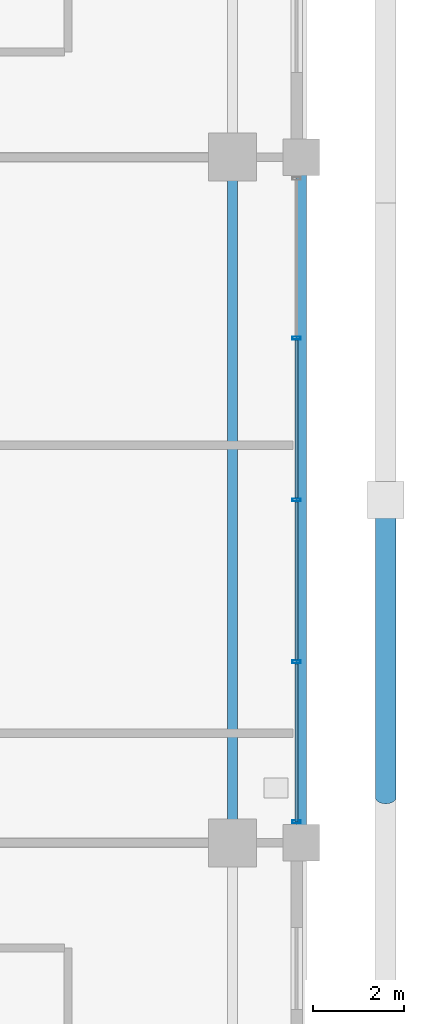
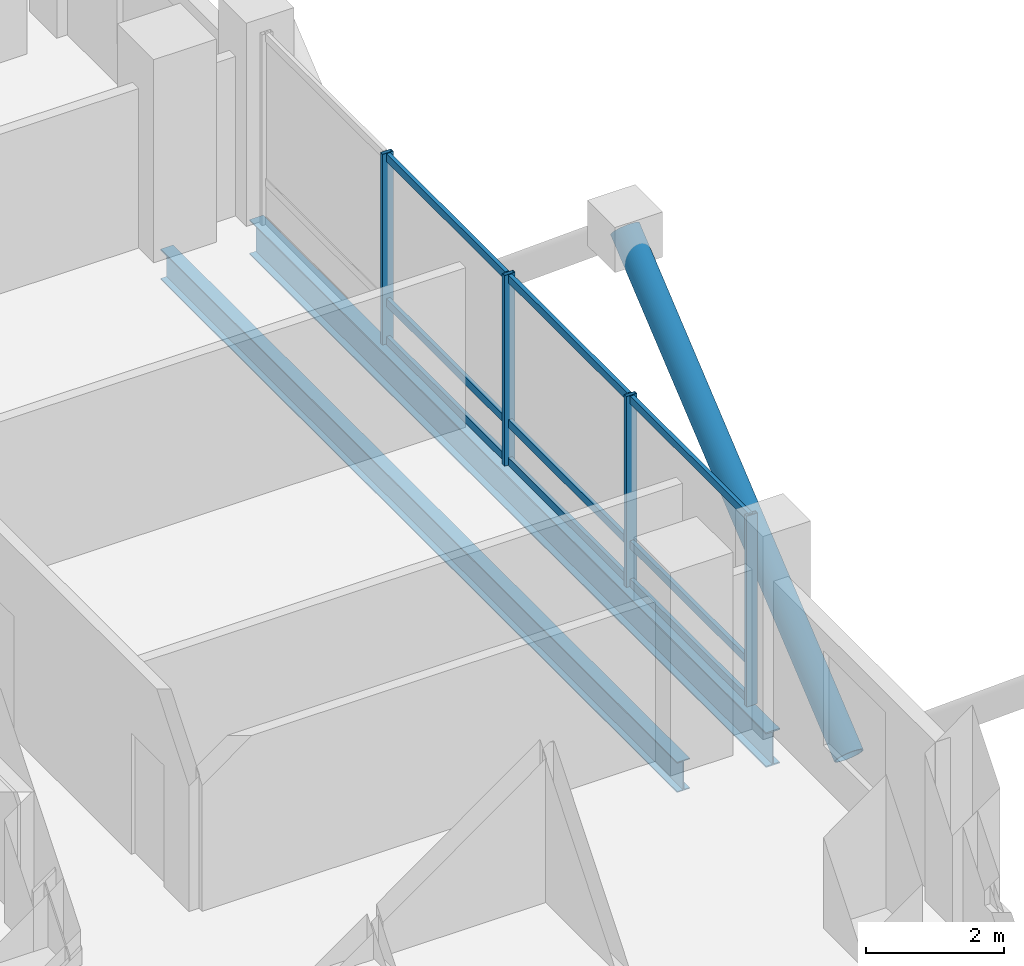
# One storey, part 10 of 24: 14 members, 2 beams, 1 element without a shape of its own.
"""IFC4 building model written with IfcOpenShell, lengths in metres."""

from ifc_helpers import new_model, si_unit, direction, frame, origin, origin_2d, place, context, subcontext, project, spatial, hollow_rectangle, hollow_circle, i_section, extrude, material, layer, layer_set, material_profile, profile_set, type_object, element, aggregate, save


model = new_model("IFC4")

# Units and contexts
model_context = context("Model", 3, precision=1e-05, world=origin(), true_north=direction((0.0, 1.0)))
body_context = subcontext(model_context, "Body", "Model", "MODEL_VIEW")
ifc_project = project(units=[si_unit("LENGTHUNIT", "METRE"), si_unit("AREAUNIT", "SQUARE_METRE"), si_unit("VOLUMEUNIT", "CUBIC_METRE"), si_unit("PLANEANGLEUNIT", "RADIAN"), si_unit("MASSUNIT", "GRAM", prefix="KILO")], contexts=[model_context])

# Site, building, storey
site_placement = place(None, origin())
site = spatial("IfcSite", under=ifc_project, at=site_placement, CompositionType="ELEMENT")
building_placement = place(site_placement, origin())
building = spatial("IfcBuilding", under=site, at=building_placement, Name="Barlavira Tower and Art Museum", CompositionType="ELEMENT")
storey_placement = place(building_placement, frame((0.0, 0.0, 194.39990234375)))
storey = spatial("IfcBuildingStorey", under=building, at=storey_placement, Name="L50", CompositionType="ELEMENT", Elevation=194.39990234375)

# Curtain wall, members
ifc_material_1 = material(Name="Low-iron coastal laminated glass", Category="glass")
ifc_layer = layer(ifc_material_1, 0.199951171875, Name="Low-iron coastal laminated glass")
ifc_layer_set = layer_set([ifc_layer], Name="Low-iron coastal laminated glass")
curtain_wall_type = type_object("IfcCurtainWallType", Name="Pale-Metal Unitised Curtain Wall Zone 3", PredefinedType="NOTDEFINED", material=ifc_layer_set)
curtain_wall_placement = place(storey_placement, origin())
curtain_wall = element("IfcCurtainWall", 1, at=curtain_wall_placement, inside=storey, type_object=curtain_wall_type, Name="L50 Curtain Wall CW3-L50-E-B3", PredefinedType="NOTDEFINED")
ifc_material_2 = material(Name="Pale anodised aluminium", Category="aluminium")
ifc_material_profile_1 = material_profile(ifc_material_2, hollow_rectangle(XDim=0.06494140625, YDim=0.179931640625, WallThickness=0.00390625, at=origin_2d()), Name="ALU-MULL 65x180x4")
ifc_profile_set_1 = profile_set([ifc_material_profile_1], Name="Pale anodised aluminium")
member_type_1 = type_object("IfcMemberType", Name="Curtain Wall Pale-Metal Mullion 65x180", PredefinedType="MULLION", material=ifc_profile_set_1)
member_1_placement = place(storey_placement, frame((18.39990234375, -7.034912109375, 0.0), z_axis=(0.0, 0.0, 1.0), x_axis=(0.0, 1.0, 0.0)))
member_1 = element("IfcMember", 2, at=member_1_placement, type_object=member_type_1, Name="CW3-L50-E-B3 Mullion 0", PredefinedType="MULLION", context=body_context, shape_type="SweptSolid", body=[
    extrude(hollow_rectangle(XDim=0.06494140625, YDim=0.179931640625, WallThickness=0.00390625, at=origin_2d()), origin(), (0.0, 0.0, 1.0), 3.380126953125),
])
member_2_placement = place(storey_placement, frame((18.39990234375, -3.5400390625, 0.0), z_axis=(0.0, 0.0, 1.0), x_axis=(0.0, 1.0, 0.0)))
member_2 = element("IfcMember", 3, at=member_2_placement, type_object=member_type_1, Name="CW3-L50-E-B3 Mullion 1", PredefinedType="MULLION", context=body_context, shape_type="SweptSolid", body=[
    extrude(hollow_rectangle(XDim=0.06494140625, YDim=0.179931640625, WallThickness=0.00390625, at=origin_2d()), origin(), (0.0, 0.0, 1.0), 3.380126953125),
])
member_3_placement = place(storey_placement, frame((18.39990234375, 0.0, 0.0), z_axis=(0.0, 0.0, 1.0), x_axis=(0.0, 1.0, 0.0)))
member_3 = element("IfcMember", 4, at=member_3_placement, type_object=member_type_1, Name="CW3-L50-E-B3 Mullion 2", PredefinedType="MULLION", context=body_context, shape_type="SweptSolid", body=[
    extrude(hollow_rectangle(XDim=0.06494140625, YDim=0.179931640625, WallThickness=0.00390625, at=origin_2d()), origin(), (0.0, 0.0, 1.0), 3.380126953125),
])
member_4_placement = place(storey_placement, frame((18.39990234375, 3.5400390625, 0.0), z_axis=(0.0, 0.0, 1.0), x_axis=(0.0, 1.0, 0.0)))
member_4 = element("IfcMember", 5, at=member_4_placement, type_object=member_type_1, Name="CW3-L50-E-B3 Mullion 3", PredefinedType="MULLION", context=body_context, shape_type="SweptSolid", body=[
    extrude(hollow_rectangle(XDim=0.06494140625, YDim=0.179931640625, WallThickness=0.00390625, at=origin_2d()), origin(), (0.0, 0.0, 1.0), 3.380126953125),
])
ifc_material_profile_2 = material_profile(ifc_material_2, hollow_rectangle(XDim=0.06494140625, YDim=0.139892578125, WallThickness=0.00390625, at=origin_2d()), Name="ALU-TRAN 65x140x4")
ifc_profile_set_2 = profile_set([ifc_material_profile_2], Name="Pale anodised aluminium")
member_type_2 = type_object("IfcMemberType", Name="Curtain Wall Pale-Metal Transom 65x140", PredefinedType="USERDEFINED", material=ifc_profile_set_2)
member_5_placement = place(storey_placement, frame((18.39990234375, -7.034912109375, 0.070068359375), z_axis=(0.0, 1.0, 0.0), x_axis=(-1.0, 0.0, 0.0)))
member_5 = element("IfcMember", 6, at=member_5_placement, type_object=member_type_2, Name="CW3-L50-E-B3 Transom 0.1", ObjectType="TRANSOM", PredefinedType="USERDEFINED", context=body_context, shape_type="SweptSolid", body=[
    extrude(hollow_rectangle(XDim=0.06494140625, YDim=0.139892578125, WallThickness=0.00390625, at=origin_2d()), origin(), (0.0, 0.0, 1.0), 3.449951171875),
])
member_6_placement = place(storey_placement, frame((18.39990234375, -7.034912109375, 0.744140625), z_axis=(0.0, 1.0, 0.0), x_axis=(-1.0, 0.0, 0.0)))
member_6 = element("IfcMember", 7, at=member_6_placement, type_object=member_type_2, Name="CW3-L50-E-B3 Transom 0.2", ObjectType="TRANSOM", PredefinedType="USERDEFINED", context=body_context, shape_type="SweptSolid", body=[
    extrude(hollow_rectangle(XDim=0.06494140625, YDim=0.139892578125, WallThickness=0.00390625, at=origin_2d()), origin(), (0.0, 0.0, 1.0), 3.449951171875),
])
member_7_placement = place(storey_placement, frame((18.39990234375, -7.034912109375, 3.31005859375), z_axis=(0.0, 1.0, 0.0), x_axis=(-1.0, 0.0, 0.0)))
member_7 = element("IfcMember", 8, at=member_7_placement, type_object=member_type_2, Name="CW3-L50-E-B3 Transom 0.3", ObjectType="TRANSOM", PredefinedType="USERDEFINED", context=body_context, shape_type="SweptSolid", body=[
    extrude(hollow_rectangle(XDim=0.06494140625, YDim=0.139892578125, WallThickness=0.00390625, at=origin_2d()), origin(), (0.0, 0.0, 1.0), 3.449951171875),
])
member_8_placement = place(storey_placement, frame((18.39990234375, -3.4951171875, 0.070068359375), z_axis=(0.0, 1.0, 0.0), x_axis=(-1.0, 0.0, 0.0)))
member_8 = element("IfcMember", 9, at=member_8_placement, type_object=member_type_2, Name="CW3-L50-E-B3 Transom 1.1", ObjectType="TRANSOM", PredefinedType="USERDEFINED", context=body_context, shape_type="SweptSolid", body=[
    extrude(hollow_rectangle(XDim=0.06494140625, YDim=0.139892578125, WallThickness=0.00390625, at=origin_2d()), origin(), (0.0, 0.0, 1.0), 3.4501953125),
])
member_9_placement = place(storey_placement, frame((18.39990234375, -3.4951171875, 0.744140625), z_axis=(0.0, 1.0, 0.0), x_axis=(-1.0, 0.0, 0.0)))
member_9 = element("IfcMember", 10, at=member_9_placement, type_object=member_type_2, Name="CW3-L50-E-B3 Transom 1.2", ObjectType="TRANSOM", PredefinedType="USERDEFINED", context=body_context, shape_type="SweptSolid", body=[
    extrude(hollow_rectangle(XDim=0.06494140625, YDim=0.139892578125, WallThickness=0.00390625, at=origin_2d()), origin(), (0.0, 0.0, 1.0), 3.4501953125),
])
member_10_placement = place(storey_placement, frame((18.39990234375, -3.4951171875, 3.31005859375), z_axis=(0.0, 1.0, 0.0), x_axis=(-1.0, 0.0, 0.0)))
member_10 = element("IfcMember", 11, at=member_10_placement, type_object=member_type_2, Name="CW3-L50-E-B3 Transom 1.3", ObjectType="TRANSOM", PredefinedType="USERDEFINED", context=body_context, shape_type="SweptSolid", body=[
    extrude(hollow_rectangle(XDim=0.06494140625, YDim=0.139892578125, WallThickness=0.00390625, at=origin_2d()), origin(), (0.0, 0.0, 1.0), 3.4501953125),
])
member_11_placement = place(storey_placement, frame((18.39990234375, 0.044921875, 0.070068359375), z_axis=(0.0, 1.0, 0.0), x_axis=(-1.0, 0.0, 0.0)))
member_11 = element("IfcMember", 12, at=member_11_placement, type_object=member_type_2, Name="CW3-L50-E-B3 Transom 2.1", ObjectType="TRANSOM", PredefinedType="USERDEFINED", context=body_context, shape_type="SweptSolid", body=[
    extrude(hollow_rectangle(XDim=0.06494140625, YDim=0.139892578125, WallThickness=0.00390625, at=origin_2d()), origin(), (0.0, 0.0, 1.0), 3.4501953125),
])
member_12_placement = place(storey_placement, frame((18.39990234375, 0.044921875, 0.744140625), z_axis=(0.0, 1.0, 0.0), x_axis=(-1.0, 0.0, 0.0)))
member_12 = element("IfcMember", 13, at=member_12_placement, type_object=member_type_2, Name="CW3-L50-E-B3 Transom 2.2", ObjectType="TRANSOM", PredefinedType="USERDEFINED", context=body_context, shape_type="SweptSolid", body=[
    extrude(hollow_rectangle(XDim=0.06494140625, YDim=0.139892578125, WallThickness=0.00390625, at=origin_2d()), origin(), (0.0, 0.0, 1.0), 3.4501953125),
])
member_13_placement = place(storey_placement, frame((18.39990234375, 0.044921875, 3.31005859375), z_axis=(0.0, 1.0, 0.0), x_axis=(-1.0, 0.0, 0.0)))
member_13 = element("IfcMember", 14, at=member_13_placement, type_object=member_type_2, Name="CW3-L50-E-B3 Transom 2.3", ObjectType="TRANSOM", PredefinedType="USERDEFINED", context=body_context, shape_type="SweptSolid", body=[
    extrude(hollow_rectangle(XDim=0.06494140625, YDim=0.139892578125, WallThickness=0.00390625, at=origin_2d()), origin(), (0.0, 0.0, 1.0), 3.4501953125),
])
aggregate(curtain_wall, [member_1, member_2, member_3, member_4, member_5, member_6, member_7, member_8, member_9, member_10, member_11, member_12, member_13])

# Member
ifc_material_3 = material(Name="Steel S355", Category="steel")
ifc_material_profile_3 = material_profile(ifc_material_3, hollow_circle(Radius=0.228515625, WallThickness=0.02001953125, at=origin_2d()), Name="CHS 457.0x20.0")
ifc_profile_set_3 = profile_set([ifc_material_profile_3], Name="Steel S355")
member_type_3 = type_object("IfcMemberType", Name="Pale-Metal Exoskeleton Diagrid Tube CHS 457x20 Steel S355", PredefinedType="BRACE", material=ifc_profile_set_3)
member_14_placement = place(storey_placement, frame((20.35009765625, -6.5, -1.919921875), z_axis=(0.0, 0.769196053329, 0.639012857104), x_axis=(-1.0, 0.0, 0.0)))
element("IfcMember", 15, at=member_14_placement, inside=storey, type_object=member_type_3, Name="L50 Exoskeleton Diagrid Tube E", PredefinedType="BRACE", context=body_context, shape_type="SweptSolid", body=[
    extrude(hollow_circle(Radius=0.228515625, WallThickness=0.02001953125, at=origin_2d()), origin(), (0.0, 0.0, 1.0), 8.450439453125),
])

# Beams
ifc_material_profile_4 = material_profile(ifc_material_3, i_section(OverallWidth=0.22998046875, OverallDepth=0.616943359375, WebThickness=0.01318359375, FlangeThickness=0.022216796875, at=origin_2d()), Name="W610x140.0")
ifc_profile_set_4 = profile_set([ifc_material_profile_4], Name="Steel S355")
beam_type_1 = type_object("IfcBeamType", Name="Upper Shaft Spandrel Edge Beam W610x140 Steel S355", PredefinedType="SPANDREL", material=ifc_profile_set_4)
beam_1_placement = place(storey_placement, frame((18.5, -7.5, -0.5283203125), z_axis=(0.0, 1.0, 0.0), x_axis=(-1.0, 0.0, 0.0)))
element("IfcBeam", 16, at=beam_1_placement, inside=storey, type_object=beam_type_1, Name="L50 Spandrel 6", PredefinedType="SPANDREL", context=body_context, shape_type="SweptSolid", body=[
    extrude(i_section(OverallWidth=0.22998046875, OverallDepth=0.616943359375, WebThickness=0.01318359375, FlangeThickness=0.022216796875, at=origin_2d()), origin(), (0.0, 0.0, 1.0), 15.0),
])
ifc_material_profile_5 = material_profile(ifc_material_3, i_section(OverallWidth=0.2109375, OverallDepth=0.5390625, WebThickness=0.01171875, FlangeThickness=0.018798828125, at=origin_2d()), Name="W530x109.0")
ifc_profile_set_5 = profile_set([ifc_material_profile_5], Name="Steel S355")
beam_type_2 = type_object("IfcBeamType", Name="Zone 3-4 Primary Floor Girder W530x109 Steel S355", PredefinedType="BEAM", material=ifc_profile_set_5)
beam_2_placement = place(storey_placement, frame((17.0, -7.5, -0.489501953125), z_axis=(0.0, 1.0, 0.0), x_axis=(-1.0, 0.0, 0.0)))
element("IfcBeam", 17, at=beam_2_placement, inside=storey, type_object=beam_type_2, Name="L50 Girder M-E2", PredefinedType="BEAM", context=body_context, shape_type="SweptSolid", body=[
    extrude(i_section(OverallWidth=0.2109375, OverallDepth=0.5390625, WebThickness=0.01171875, FlangeThickness=0.018798828125, at=origin_2d()), origin(), (0.0, 0.0, 1.0), 15.0),
])

save(model, "model.ifc")
